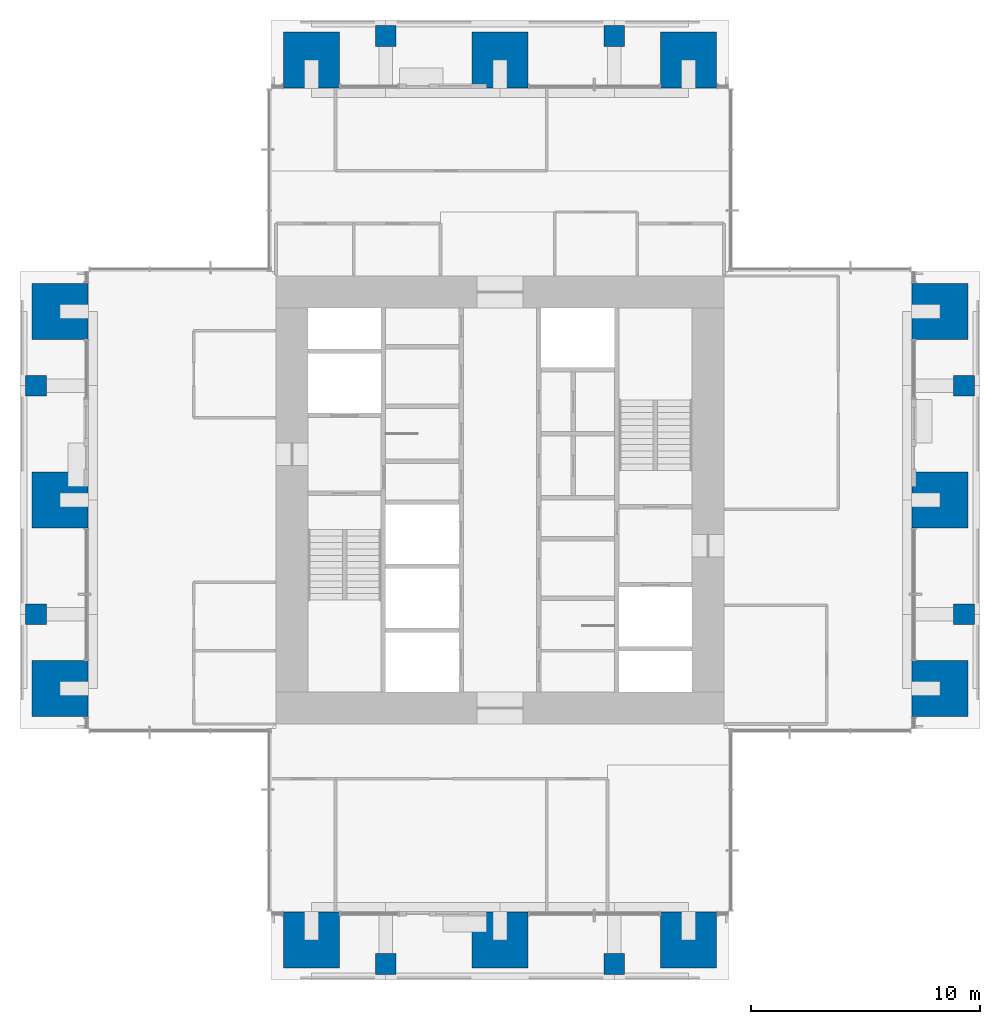
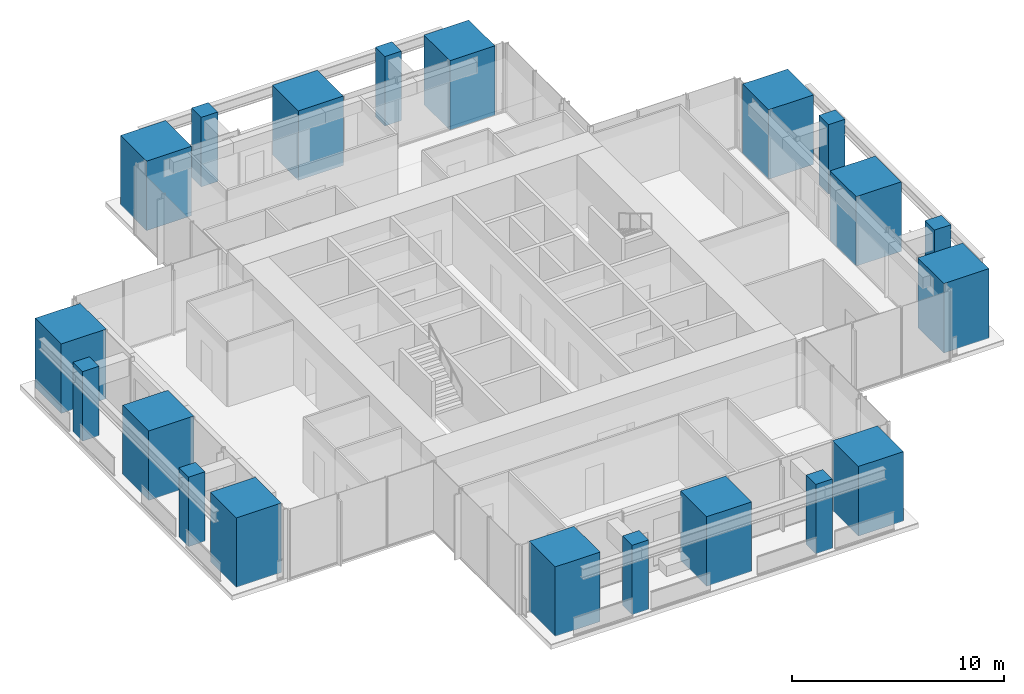
# One storey, part 1 of 17: 20 columns.
"""IFC4 building model written with IfcOpenShell, lengths in metres."""

from ifc_helpers import new_model, si_unit, direction, frame, origin, origin_2d, place, context, subcontext, project, spatial, rectangle, extrude, material, material_profile, profile_set, type_object, element, save


model = new_model("IFC4")

# Units and contexts
model_context = context("Model", 3, precision=1e-05, world=origin(), true_north=direction((0.0, 1.0)))
body_context = subcontext(model_context, "Body", "Model", "MODEL_VIEW")
ifc_project = project(units=[si_unit("LENGTHUNIT", "METRE"), si_unit("AREAUNIT", "SQUARE_METRE"), si_unit("VOLUMEUNIT", "CUBIC_METRE"), si_unit("PLANEANGLEUNIT", "RADIAN"), si_unit("MASSUNIT", "GRAM", prefix="KILO")], contexts=[model_context])

# Site, building, storey
site_placement = place(None, origin())
site = spatial("IfcSite", under=ifc_project, at=site_placement, CompositionType="ELEMENT")
building_placement = place(site_placement, origin())
building = spatial("IfcBuilding", under=site, at=building_placement, Name="Svetlomir Tower", CompositionType="ELEMENT")
storey_placement = place(building_placement, frame((0.0, 0.0, 222.5)))
storey = spatial("IfcBuildingStorey", under=building, at=storey_placement, Name="L53", CompositionType="ELEMENT", Elevation=222.5)

# Columns
ifc_material_1 = material(Name="Concrete C60/75", Category="concrete")
ifc_material_profile_1 = material_profile(ifc_material_1, rectangle(XDim=2.449951171875, YDim=2.449951171875, at=origin_2d()), Name="RC 2450x2450")
ifc_profile_set_1 = profile_set([ifc_material_profile_1], Name="Concrete C60/75")
column_type_1 = type_object("IfcColumnType", Name="COLUMN RC 2450x2450", PredefinedType="COLUMN", material=ifc_profile_set_1)
for number, where, z_axis, x_axis, name in (
    (1, (12.75, 1.75, 0.0), (0.0, 0.0, 1.0), (1.0, 0.0, 0.0), "Column 11/0 L53"),
    (2, (21.0, 1.75, 0.0), (0.0, 0.0, 1.0), (1.0, 0.0, 0.0), "Column 21/0 L53"),
    (3, (29.25, 1.75, 0.0), (0.0, 0.0, 1.0), (1.0, 0.0, 0.0), "Column 31/0 L53"),
    (4, (1.75, 12.75, 0.0), (0.0, 0.0, 1.0), (1.0, 0.0, 0.0), "Column 0/11 L53"),
    (5, (40.25, 12.75, 0.0), (0.0, 0.0, 1.0), (1.0, 0.0, 0.0), "Column 42/11 L53"),
    (6, (1.75, 21.0, 0.0), (0.0, 0.0, 1.0), (1.0, 0.0, 0.0), "Column 0/21 L53"),
    (7, (40.25, 21.0, 0.0), (0.0, 0.0, 1.0), (1.0, 0.0, 0.0), "Column 42/21 L53"),
    (8, (1.75, 29.25, 0.0), (0.0, 0.0, 1.0), (1.0, 0.0, 0.0), "Column 0/31 L53"),
    (9, (40.25, 29.25, 0.0), (0.0, 0.0, 1.0), (1.0, 0.0, 0.0), "Column 42/31 L53"),
    (10, (12.75, 40.25, 0.0), (0.0, 0.0, 1.0), (1.0, 0.0, 0.0), "Column 11/42 L53"),
    (11, (21.0, 40.25, 0.0), (0.0, 0.0, 1.0), (1.0, 0.0, 0.0), "Column 21/42 L53"),
    (12, (29.25, 40.25, 0.0), (0.0, 0.0, 1.0), (1.0, 0.0, 0.0), "Column 31/42 L53"),
):
    element("IfcColumn", number, at=place(storey_placement, frame(where, z_axis=z_axis, x_axis=x_axis)), inside=storey, type_object=column_type_1, Name=name, PredefinedType="COLUMN", context=body_context, shape_type="SweptSolid", body=[
        extrude(rectangle(XDim=2.449951171875, YDim=2.449951171875, at=origin_2d()), origin(), (0.0, 0.0, 1.0), 4.0),
    ])
ifc_material_2 = material(Name="Concrete C60/75", Category="concrete")
ifc_material_profile_2 = material_profile(ifc_material_2, rectangle(XDim=0.89990234375, YDim=0.89990234375, at=origin_2d()), Name="RC 900x900")
ifc_profile_set_2 = profile_set([ifc_material_profile_2], Name="Concrete C60/75")
column_type_2 = type_object("IfcColumnType", Name="COLUMN RC 900x900", PredefinedType="COLUMN", material=ifc_profile_set_2)
for number, where, z_axis, x_axis, name in (
    (13, (16.0, 0.699951171875, 0.0), (0.0, 0.0, 1.0), (1.0, 0.0, 0.0), "Column 16/0 L53"),
    (14, (26.0, 0.699951171875, 0.0), (0.0, 0.0, 1.0), (1.0, 0.0, 0.0), "Column 26/0 L53"),
    (15, (0.699951171875, 16.0, 0.0), (0.0, 0.0, 1.0), (1.0, 0.0, 0.0), "Column 0/16 L53"),
    (16, (41.300048828125, 16.0, 0.0), (0.0, 0.0, 1.0), (1.0, 0.0, 0.0), "Column 42/16 L53"),
    (17, (0.699951171875, 26.0, 0.0), (0.0, 0.0, 1.0), (1.0, 0.0, 0.0), "Column 0/26 L53"),
    (18, (41.300048828125, 26.0, 0.0), (0.0, 0.0, 1.0), (1.0, 0.0, 0.0), "Column 42/26 L53"),
    (19, (16.0, 41.300048828125, 0.0), (0.0, 0.0, 1.0), (1.0, 0.0, 0.0), "Column 16/42 L53"),
    (20, (26.0, 41.300048828125, 0.0), (0.0, 0.0, 1.0), (1.0, 0.0, 0.0), "Column 26/42 L53"),
):
    element("IfcColumn", number, at=place(storey_placement, frame(where, z_axis=z_axis, x_axis=x_axis)), inside=storey, type_object=column_type_2, Name=name, PredefinedType="COLUMN", context=body_context, shape_type="SweptSolid", body=[
        extrude(rectangle(XDim=0.89990234375, YDim=0.89990234375, at=origin_2d()), origin(), (0.0, 0.0, 1.0), 4.0),
    ])

save(model, "model.ifc")
